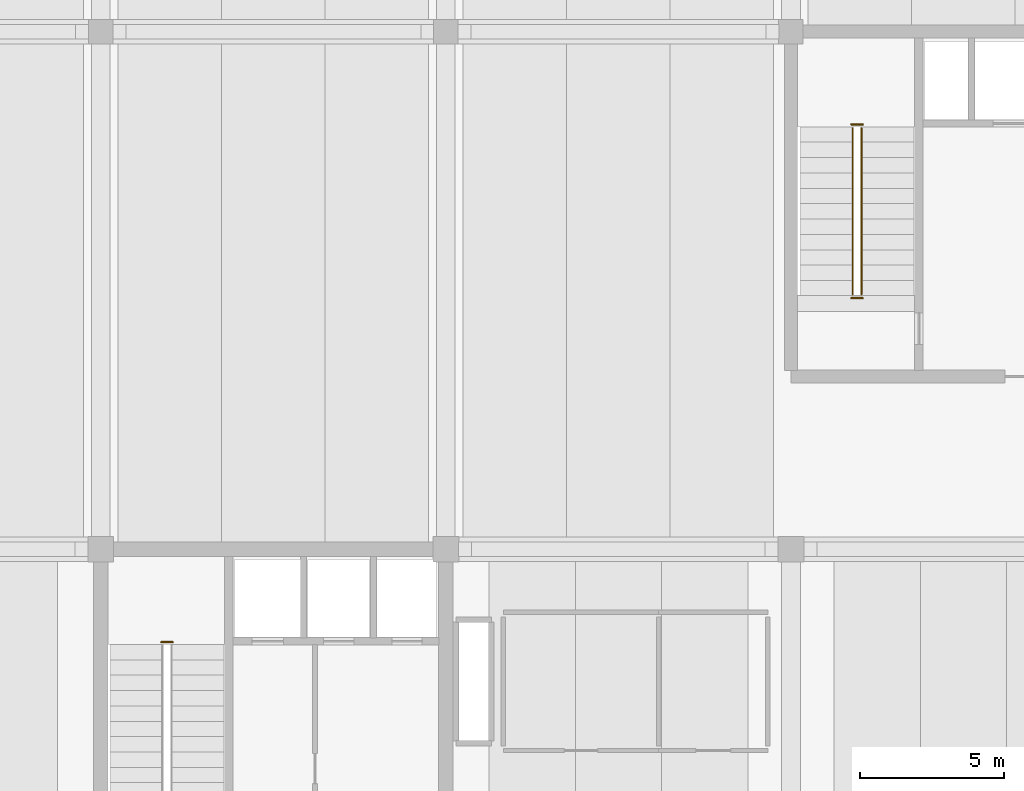
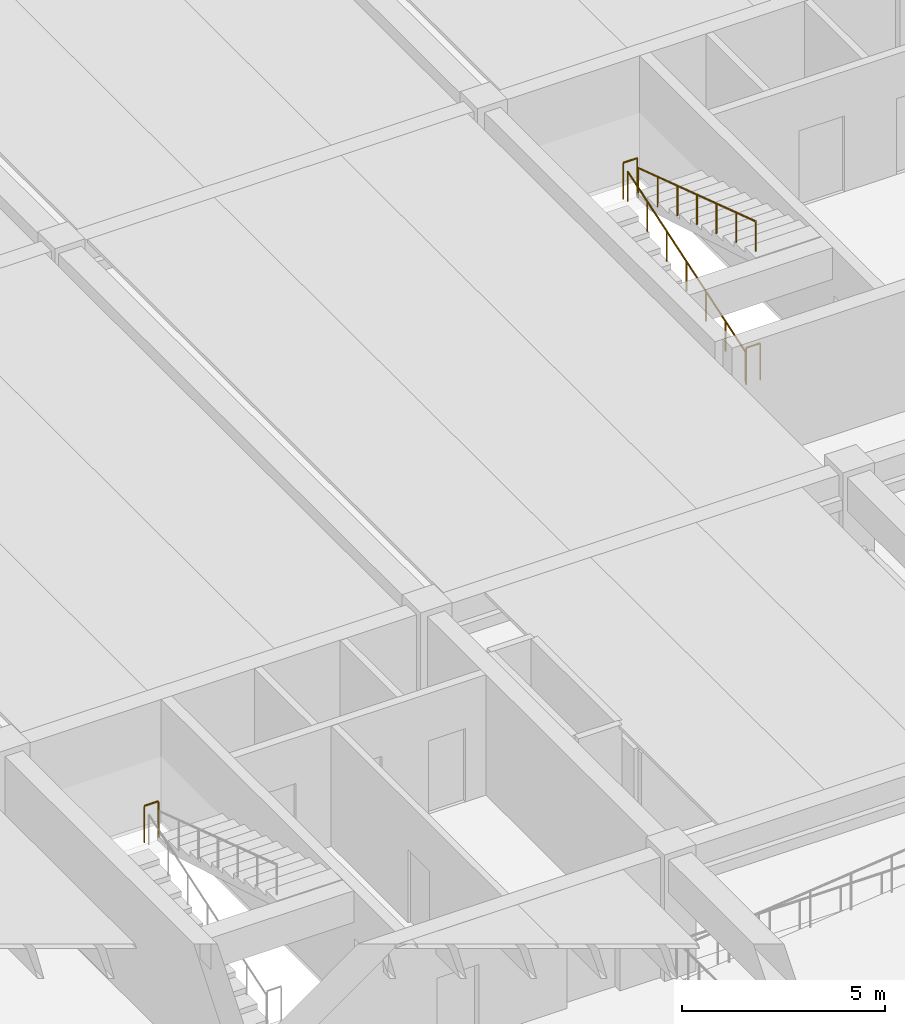
# One storey, part 18 of 19: 5 railings.
"""IFC4 building model written with IfcOpenShell, lengths in metres."""

from ifc_helpers import new_model, si_unit, direction, frame, origin, origin_2d, place, context, subcontext, project, spatial, circle, extrude, material, layer, layer_set, type_object, element, save


model = new_model("IFC4")

# Units and contexts
model_context = context("Model", 3, precision=1e-05, world=origin(), true_north=direction((0.0, 1.0)))
body_context = subcontext(model_context, "Body", "Model", "MODEL_VIEW")
ifc_project = project(units=[si_unit("LENGTHUNIT", "METRE"), si_unit("AREAUNIT", "SQUARE_METRE"), si_unit("VOLUMEUNIT", "CUBIC_METRE"), si_unit("PLANEANGLEUNIT", "RADIAN"), si_unit("MASSUNIT", "GRAM", prefix="KILO")], contexts=[model_context])

# Site, building, storey
site_placement = place(None, origin())
site = spatial("IfcSite", under=ifc_project, at=site_placement, CompositionType="ELEMENT")
building_placement = place(site_placement, origin())
building = spatial("IfcBuilding", under=site, at=building_placement, Name="Girod Span Mobility Hub", CompositionType="ELEMENT")
storey_placement = place(building_placement, frame((0.0, 0.0, 13.39990234375)))
storey = spatial("IfcBuildingStorey", under=building, at=storey_placement, Name="L03", CompositionType="ELEMENT", Elevation=13.39990234375)

# Railings
ifc_material_1 = material(Name="Painted Galvanised Steel", Category="steel")
ifc_layer_1 = layer(ifc_material_1, 0.06494140625)
ifc_layer_set_1 = layer_set([ifc_layer_1], Name="Painted Galvanised Steel")
railing_type_1 = type_object("IfcRailingType", Name="RL-GRD-1120", PredefinedType="GUARDRAIL", material=ifc_layer_set_1)
for number, where, name in (
    (1, (50.10009765625, 65.77001953125, 1.900146484375), "Stair ST-1 Half-Landing Well Guard L03"),
    (2, (74.10009765625, 83.77001953125, 1.900146484375), "Stair ST-4 Half-Landing Well Guard L03"),
    (3, (74.10009765625, 77.72998046875, 0.0), "Stair ST-4 Landing Well Guard L03"),
):
    element("IfcRailing", number, at=place(storey_placement, frame(where)), inside=storey, type_object=railing_type_1, Name=name, PredefinedType="GUARDRAIL", context=body_context, shape_type="SweptSolid", body=[
        extrude(circle(Radius=0.02392578125, at=origin_2d()), frame((0.0, 0.0, 1.09619140625), z_axis=(1.0, 0.0, 0.0), x_axis=(0.0, 1.0, 0.0)), (0.0, 0.0, 1.0), 0.39990234375),
        extrude(circle(Radius=0.02099609375, at=origin_2d()), origin(), (0.0, 0.0, 1.0), 1.072021484375),
        extrude(circle(Radius=0.02099609375, at=origin_2d()), frame((0.39990234375, 0.0, 0.0)), (0.0, 0.0, 1.0), 1.072021484375),
    ])
ifc_material_2 = material(Name="Painted Galvanised Steel", Category="steel")
ifc_layer_2 = layer(ifc_material_2, 0.050048828125)
ifc_layer_set_2 = layer_set([ifc_layer_2], Name="Painted Galvanised Steel")
railing_type_2 = type_object("IfcRailingType", Name="RL-HR-920", PredefinedType="HANDRAIL", material=ifc_layer_set_2)
railing_1_placement = place(storey_placement, frame((74.14990234375, 77.860107421875, 0.0)))
element("IfcRailing", 4, at=railing_1_placement, inside=storey, type_object=railing_type_2, Name="Stair ST-4 Flight 1 Handrail L03", PredefinedType="HANDRAIL", context=body_context, shape_type="SweptSolid", body=[
    extrude(circle(Radius=0.02392578125, at=origin_2d()), frame((0.0, 0.0, 0.89599609375), z_axis=(0.0, 0.949979375482, 0.31231264169), x_axis=(-1.0, 0.0, 0.0)), (0.0, 0.0, 1.0), 6.084228515625),
    extrude(circle(Radius=0.02099609375, at=origin_2d()), origin(), (0.0, 0.0, 1.0), 0.871826171875),
    extrude(circle(Radius=0.02099609375, at=origin_2d()), frame((0.0, 0.96337890625, 0.316650390625)), (0.0, 0.0, 1.0), 0.871826171875),
    extrude(circle(Radius=0.02099609375, at=origin_2d()), frame((0.0, 1.926513671875, 0.63330078125)), (0.0, 0.0, 1.0), 0.871826171875),
    extrude(circle(Radius=0.02099609375, at=origin_2d()), frame((0.0, 2.889892578125, 0.9501953125)), (0.0, 0.0, 1.0), 0.871826171875),
    extrude(circle(Radius=0.02099609375, at=origin_2d()), frame((0.0, 3.853271484375, 1.266845703125)), (0.0, 0.0, 1.0), 0.871826171875),
    extrude(circle(Radius=0.02099609375, at=origin_2d()), frame((0.0, 4.81640625, 1.58349609375)), (0.0, 0.0, 1.0), 0.871826171875),
    extrude(circle(Radius=0.02099609375, at=origin_2d()), frame((0.0, 5.77978515625, 1.900146484375)), (0.0, 0.0, 1.0), 0.871826171875),
])
railing_2_placement = place(storey_placement, frame((74.449951171875, 83.639892578125, 1.900146484375)))
element("IfcRailing", 5, at=railing_2_placement, inside=storey, type_object=railing_type_2, Name="Stair ST-4 Flight 2 Handrail L03", PredefinedType="HANDRAIL", context=body_context, shape_type="SweptSolid", body=[
    extrude(circle(Radius=0.02392578125, at=origin_2d()), frame((0.0, 0.0, 0.89599609375), z_axis=(0.0, -0.949991280403, 0.312276427477), x_axis=(1.0, 0.0, 0.0)), (0.0, 0.0, 1.0), 6.083984375),
    extrude(circle(Radius=0.02099609375, at=origin_2d()), origin(), (0.0, 0.0, 1.0), 0.871826171875),
    extrude(circle(Radius=0.02099609375, at=origin_2d()), frame((0.0, -0.96337890625, 0.316650390625)), (0.0, 0.0, 1.0), 0.871826171875),
    extrude(circle(Radius=0.02099609375, at=origin_2d()), frame((0.0, -1.926513671875, 0.63330078125)), (0.0, 0.0, 1.0), 0.871826171875),
    extrude(circle(Radius=0.02099609375, at=origin_2d()), frame((0.0, -2.889892578125, 0.949951171875)), (0.0, 0.0, 1.0), 0.871826171875),
    extrude(circle(Radius=0.02099609375, at=origin_2d()), frame((0.0, -3.853271484375, 1.2666015625)), (0.0, 0.0, 1.0), 0.871826171875),
    extrude(circle(Radius=0.02099609375, at=origin_2d()), frame((0.0, -4.81640625, 1.583251953125)), (0.0, 0.0, 1.0), 0.871826171875),
    extrude(circle(Radius=0.02099609375, at=origin_2d()), frame((0.0, -5.77978515625, 1.89990234375)), (0.0, 0.0, 1.0), 0.871826171875),
])

save(model, "model.ifc")
